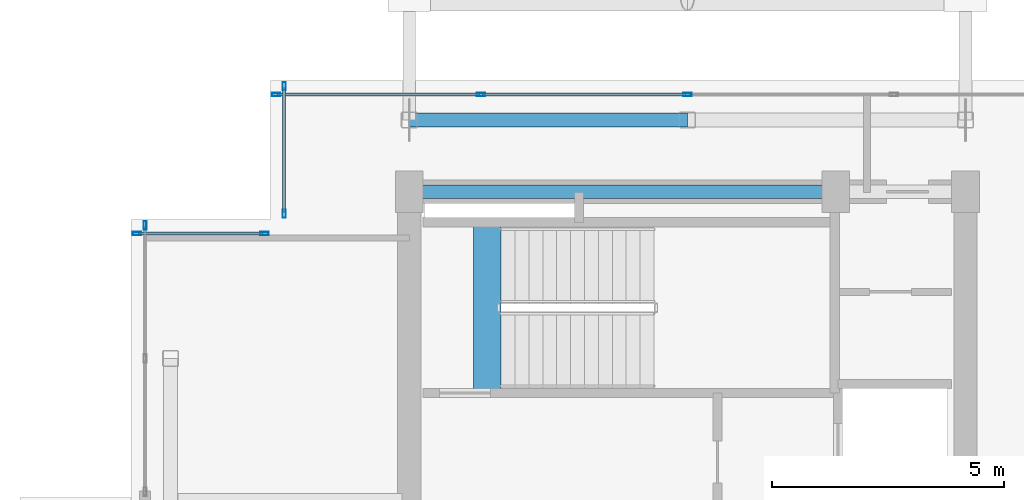
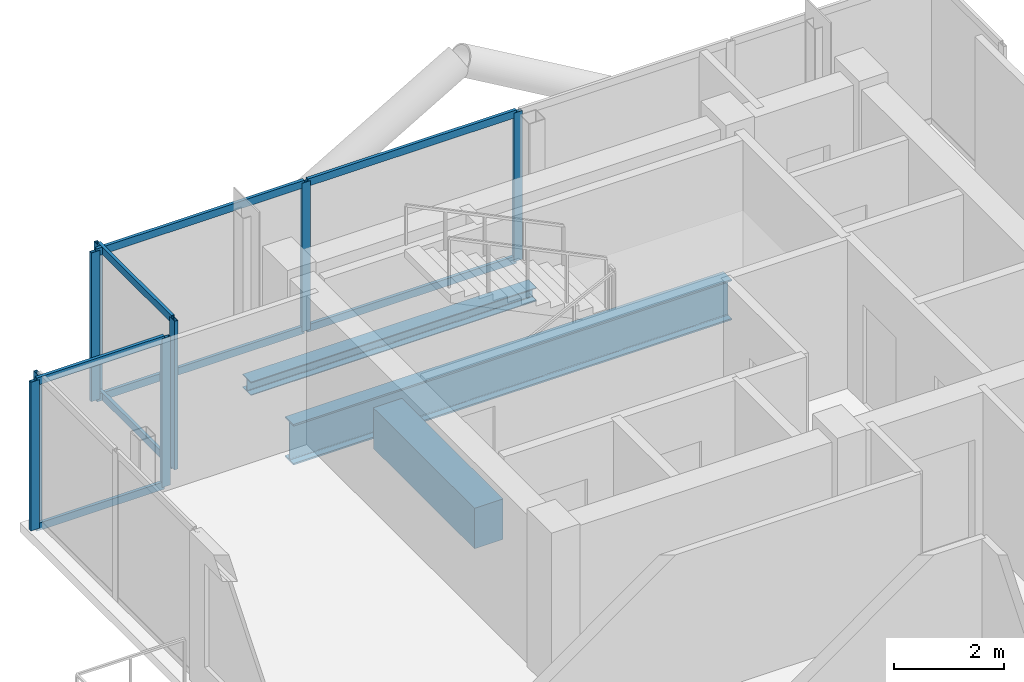
# One storey, part 8 of 18: 16 members, 3 beams, 4 elements without a shape of their own.
"""IFC4 building model written with IfcOpenShell, lengths in metres."""

from ifc_helpers import new_model, si_unit, direction, frame, origin, origin_2d, place, context, subcontext, project, spatial, rectangle, hollow_rectangle, i_section, extrude, material, layer, layer_set, material_profile, profile_set, type_object, element, aggregate, save


model = new_model("IFC4")

# Units and contexts
model_context = context("Model", 3, precision=1e-05, world=origin(), true_north=direction((0.0, 1.0)))
body_context = subcontext(model_context, "Body", "Model", "MODEL_VIEW")
ifc_project = project(units=[si_unit("LENGTHUNIT", "METRE"), si_unit("AREAUNIT", "SQUARE_METRE"), si_unit("VOLUMEUNIT", "CUBIC_METRE"), si_unit("PLANEANGLEUNIT", "RADIAN"), si_unit("MASSUNIT", "GRAM", prefix="KILO"), si_unit("THERMODYNAMICTEMPERATUREUNIT", "KELVIN"), si_unit("POWERUNIT", "WATT")], contexts=[model_context])

# Site, building, storey
site_placement = place(None, origin())
site = spatial("IfcSite", under=ifc_project, at=site_placement, CompositionType="ELEMENT")
building_placement = place(site_placement, origin())
building = spatial("IfcBuilding", under=site, at=building_placement, Name="Svarakhadi Broadcast Tower", CompositionType="ELEMENT")
storey_placement = place(building_placement, frame((0.0, 0.0, 264.199951171875)))
storey = spatial("IfcBuildingStorey", under=building, at=storey_placement, Name="L66", CompositionType="ELEMENT", Elevation=264.199951171875)

# Curtain wall, member
ifc_material_1 = material(Name="Anodised Bronze Aluminium AA 6063-T6", Category="aluminium")
ifc_layer = layer(ifc_material_1, 0.179931640625)
ifc_layer_set = layer_set([ifc_layer], Name="Anodised Bronze Aluminium AA 6063-T6")
curtain_wall_type = type_object("IfcCurtainWallType", Name="CW_Sys_05", PredefinedType="NOTDEFINED", material=ifc_layer_set)
curtain_wall_1_placement = place(storey_placement, origin())
curtain_wall_1 = element("IfcCurtainWall", 1, at=curtain_wall_1_placement, inside=storey, type_object=curtain_wall_type, Name="L66 West Curtain Wall 03", PredefinedType="NOTDEFINED")
ifc_material_profile_1 = material_profile(ifc_material_1, hollow_rectangle(XDim=0.070068359375, YDim=0.179931640625, WallThickness=0.005615234375, at=origin_2d()), Name="ALU MULLION 180x70x6")
ifc_profile_set_1 = profile_set([ifc_material_profile_1], Name="Anodised Bronze Aluminium AA 6063-T6")
member_type_1 = type_object("IfcMemberType", Name="CW_Sys_05_Mul", PredefinedType="MULLION", material=ifc_profile_set_1)
member_1_placement = place(storey_placement, frame((0.300048828125, 26.875, 0.0), z_axis=(0.0, 0.0, 1.0), x_axis=(-1.0, 0.0, 0.0)))
member_1 = element("IfcMember", 2, at=member_1_placement, type_object=member_type_1, Name="CW-05 mullion 3", PredefinedType="MULLION", context=body_context, shape_type="SweptSolid", body=[
    extrude(hollow_rectangle(XDim=0.070068359375, YDim=0.179931640625, WallThickness=0.005615234375, at=origin_2d()), origin(), (0.0, 0.0, 1.0), 3.300048828125),
])
aggregate(curtain_wall_1, [member_1])

# Curtain wall, members
curtain_wall_2_placement = place(storey_placement, origin())
curtain_wall_2 = element("IfcCurtainWall", 3, at=curtain_wall_2_placement, inside=storey, type_object=curtain_wall_type, Name="L66 Unitised Facade Curtain Wall 04", PredefinedType="NOTDEFINED")
member_2_placement = place(storey_placement, frame((0.125, 26.699951171875, 0.0), z_axis=(0.0, 0.0, 1.0), x_axis=(0.0, 1.0, 0.0)))
member_2 = element("IfcMember", 4, at=member_2_placement, type_object=member_type_1, Name="CW-05 mullion 1", PredefinedType="MULLION", context=body_context, shape_type="SweptSolid", body=[
    extrude(hollow_rectangle(XDim=0.070068359375, YDim=0.179931640625, WallThickness=0.005615234375, at=origin_2d()), origin(), (0.0, 0.0, 1.0), 3.300048828125),
])
member_3_placement = place(storey_placement, frame((2.875, 26.699951171875, 0.0), z_axis=(0.0, 0.0, 1.0), x_axis=(0.0, 1.0, 0.0)))
member_3 = element("IfcMember", 5, at=member_3_placement, type_object=member_type_1, Name="CW-05 mullion 2", PredefinedType="MULLION", context=body_context, shape_type="SweptSolid", body=[
    extrude(hollow_rectangle(XDim=0.070068359375, YDim=0.179931640625, WallThickness=0.005615234375, at=origin_2d()), origin(), (0.0, 0.0, 1.0), 3.300048828125),
])

curtain_wall_3_placement = place(storey_placement, origin())
curtain_wall_3 = element("IfcCurtainWall", 6, at=curtain_wall_3_placement, inside=storey, type_object=curtain_wall_type, Name="L66 Unitised Facade Curtain Wall 05", PredefinedType="NOTDEFINED")
member_4_placement = place(storey_placement, frame((3.300048828125, 27.125, 0.0), z_axis=(0.0, 0.0, 1.0), x_axis=(-1.0, 0.0, 0.0)))
member_4 = element("IfcMember", 7, at=member_4_placement, type_object=member_type_1, Name="CW-05 mullion 1", PredefinedType="MULLION", context=body_context, shape_type="SweptSolid", body=[
    extrude(hollow_rectangle(XDim=0.070068359375, YDim=0.179931640625, WallThickness=0.005615234375, at=origin_2d()), origin(), (0.0, 0.0, 1.0), 3.300048828125),
])
member_5_placement = place(storey_placement, frame((3.300048828125, 29.875, 0.0), z_axis=(0.0, 0.0, 1.0), x_axis=(-1.0, 0.0, 0.0)))
member_5 = element("IfcMember", 8, at=member_5_placement, type_object=member_type_1, Name="CW-05 mullion 2", PredefinedType="MULLION", context=body_context, shape_type="SweptSolid", body=[
    extrude(hollow_rectangle(XDim=0.070068359375, YDim=0.179931640625, WallThickness=0.005615234375, at=origin_2d()), origin(), (0.0, 0.0, 1.0), 3.300048828125),
])

curtain_wall_4_placement = place(storey_placement, origin())
curtain_wall_4 = element("IfcCurtainWall", 9, at=curtain_wall_4_placement, inside=storey, type_object=curtain_wall_type, Name="L66 Unitised Facade Curtain Wall 06", PredefinedType="NOTDEFINED")
member_6_placement = place(storey_placement, frame((3.125, 29.699951171875, 0.0), z_axis=(0.0, 0.0, 1.0), x_axis=(0.0, 1.0, 0.0)))
member_6 = element("IfcMember", 10, at=member_6_placement, type_object=member_type_1, Name="CW-05 mullion 1", PredefinedType="MULLION", context=body_context, shape_type="SweptSolid", body=[
    extrude(hollow_rectangle(XDim=0.070068359375, YDim=0.179931640625, WallThickness=0.005615234375, at=origin_2d()), origin(), (0.0, 0.0, 1.0), 3.300048828125),
])
member_7_placement = place(storey_placement, frame((7.544921875, 29.699951171875, 0.0), z_axis=(0.0, 0.0, 1.0), x_axis=(0.0, 1.0, 0.0)))
member_7 = element("IfcMember", 11, at=member_7_placement, type_object=member_type_1, Name="CW-05 mullion 2", PredefinedType="MULLION", context=body_context, shape_type="SweptSolid", body=[
    extrude(hollow_rectangle(XDim=0.070068359375, YDim=0.179931640625, WallThickness=0.005615234375, at=origin_2d()), origin(), (0.0, 0.0, 1.0), 3.300048828125),
])
member_8_placement = place(storey_placement, frame((12.0, 29.699951171875, 0.0), z_axis=(0.0, 0.0, 1.0), x_axis=(0.0, 1.0, 0.0)))
member_8 = element("IfcMember", 12, at=member_8_placement, type_object=member_type_1, Name="CW-05 mullion 3", PredefinedType="MULLION", context=body_context, shape_type="SweptSolid", body=[
    extrude(hollow_rectangle(XDim=0.070068359375, YDim=0.179931640625, WallThickness=0.005615234375, at=origin_2d()), origin(), (0.0, 0.0, 1.0), 3.300048828125),
])

# Member
ifc_material_profile_2 = material_profile(ifc_material_1, hollow_rectangle(XDim=0.06494140625, YDim=0.1650390625, WallThickness=0.0048828125, at=origin_2d()), Name="ALU TRANSOM 165x65x5")
ifc_profile_set_2 = profile_set([ifc_material_profile_2], Name="Anodised Bronze Aluminium AA 6063-T6")
member_type_2 = type_object("IfcMemberType", Name="CW_Sys_05_Trn", PredefinedType="USERDEFINED", material=ifc_profile_set_2)
member_9_placement = place(storey_placement, frame((0.159912109375, 26.699951171875, 0.032470703125), z_axis=(1.0, 0.0, 0.0), x_axis=(0.0, 1.0, 0.0)))
member_9 = element("IfcMember", 13, at=member_9_placement, type_object=member_type_2, Name="CW-05 transom 1.1", ObjectType="TRANSOM", PredefinedType="USERDEFINED", context=body_context, shape_type="SweptSolid", body=[
    extrude(hollow_rectangle(XDim=0.06494140625, YDim=0.1650390625, WallThickness=0.0048828125, at=origin_2d()), origin(), (0.0, 0.0, 1.0), 2.68017578125),
])

member_10_placement = place(storey_placement, frame((0.159912109375, 26.699951171875, 3.267578125), z_axis=(1.0, 0.0, 0.0), x_axis=(0.0, 1.0, 0.0)))
member_10 = element("IfcMember", 14, at=member_10_placement, type_object=member_type_2, Name="CW-05 transom 1.2", ObjectType="TRANSOM", PredefinedType="USERDEFINED", context=body_context, shape_type="SweptSolid", body=[
    extrude(hollow_rectangle(XDim=0.06494140625, YDim=0.1650390625, WallThickness=0.0048828125, at=origin_2d()), origin(), (0.0, 0.0, 1.0), 2.68017578125),
])

aggregate(curtain_wall_2, [member_2, member_3, member_9, member_10])

member_11_placement = place(storey_placement, frame((3.300048828125, 27.159912109375, 0.032470703125), z_axis=(0.0, 1.0, 0.0), x_axis=(-1.0, 0.0, 0.0)))
member_11 = element("IfcMember", 15, at=member_11_placement, type_object=member_type_2, Name="CW-05 transom 1.1", ObjectType="TRANSOM", PredefinedType="USERDEFINED", context=body_context, shape_type="SweptSolid", body=[
    extrude(hollow_rectangle(XDim=0.06494140625, YDim=0.1650390625, WallThickness=0.0048828125, at=origin_2d()), origin(), (0.0, 0.0, 1.0), 2.68017578125),
])

member_12_placement = place(storey_placement, frame((3.300048828125, 27.159912109375, 3.267578125), z_axis=(0.0, 1.0, 0.0), x_axis=(-1.0, 0.0, 0.0)))
member_12 = element("IfcMember", 16, at=member_12_placement, type_object=member_type_2, Name="CW-05 transom 1.2", ObjectType="TRANSOM", PredefinedType="USERDEFINED", context=body_context, shape_type="SweptSolid", body=[
    extrude(hollow_rectangle(XDim=0.06494140625, YDim=0.1650390625, WallThickness=0.0048828125, at=origin_2d()), origin(), (0.0, 0.0, 1.0), 2.68017578125),
])

aggregate(curtain_wall_3, [member_4, member_5, member_11, member_12])

member_13_placement = place(storey_placement, frame((3.159912109375, 29.699951171875, 0.032470703125), z_axis=(1.0, 0.0, 0.0), x_axis=(0.0, 1.0, 0.0)))
member_13 = element("IfcMember", 17, at=member_13_placement, type_object=member_type_2, Name="CW-05 transom 1.1", ObjectType="TRANSOM", PredefinedType="USERDEFINED", context=body_context, shape_type="SweptSolid", body=[
    extrude(hollow_rectangle(XDim=0.06494140625, YDim=0.1650390625, WallThickness=0.0048828125, at=origin_2d()), origin(), (0.0, 0.0, 1.0), 4.35009765625),
])

member_14_placement = place(storey_placement, frame((3.159912109375, 29.699951171875, 3.267578125), z_axis=(1.0, 0.0, 0.0), x_axis=(0.0, 1.0, 0.0)))
member_14 = element("IfcMember", 18, at=member_14_placement, type_object=member_type_2, Name="CW-05 transom 1.2", ObjectType="TRANSOM", PredefinedType="USERDEFINED", context=body_context, shape_type="SweptSolid", body=[
    extrude(hollow_rectangle(XDim=0.06494140625, YDim=0.1650390625, WallThickness=0.0048828125, at=origin_2d()), origin(), (0.0, 0.0, 1.0), 4.35009765625),
])

member_15_placement = place(storey_placement, frame((7.580078125, 29.699951171875, 0.032470703125), z_axis=(1.0, 0.0, 0.0), x_axis=(0.0, 1.0, 0.0)))
member_15 = element("IfcMember", 19, at=member_15_placement, type_object=member_type_2, Name="CW-05 transom 2.1", ObjectType="TRANSOM", PredefinedType="USERDEFINED", context=body_context, shape_type="SweptSolid", body=[
    extrude(hollow_rectangle(XDim=0.06494140625, YDim=0.1650390625, WallThickness=0.0048828125, at=origin_2d()), origin(), (0.0, 0.0, 1.0), 4.385009765625),
])

member_16_placement = place(storey_placement, frame((7.580078125, 29.699951171875, 3.267578125), z_axis=(1.0, 0.0, 0.0), x_axis=(0.0, 1.0, 0.0)))
member_16 = element("IfcMember", 20, at=member_16_placement, type_object=member_type_2, Name="CW-05 transom 2.2", ObjectType="TRANSOM", PredefinedType="USERDEFINED", context=body_context, shape_type="SweptSolid", body=[
    extrude(hollow_rectangle(XDim=0.06494140625, YDim=0.1650390625, WallThickness=0.0048828125, at=origin_2d()), origin(), (0.0, 0.0, 1.0), 4.385009765625),
])

aggregate(curtain_wall_4, [member_6, member_7, member_8, member_13, member_14, member_15, member_16])

# Beams
ifc_material_2 = material(Name="Concrete C50/60 (IS 456 M60)", Category="concrete")
ifc_material_profile_3 = material_profile(ifc_material_2, rectangle(XDim=0.60009765625, YDim=0.89990234375, at=origin_2d()), Name="RC 600x900")
ifc_profile_set_3 = profile_set([ifc_material_profile_3], Name="Concrete C50/60 (IS 456 M60)")
beam_type_1 = type_object("IfcBeamType", Name="Coupling_RC600", PredefinedType="USERDEFINED", material=ifc_profile_set_3)
beam_1_placement = place(storey_placement, frame((7.679931640625, 23.260009765625, -0.449951171875), z_axis=(0.0, 1.0, 0.0), x_axis=(-1.0, 0.0, 0.0)))
element("IfcBeam", 21, at=beam_1_placement, inside=storey, type_object=beam_type_1, Name="L66 Stair ST-01 Landing Throat Trimmer Beam CB-01", ObjectType="GIRDER", PredefinedType="USERDEFINED", context=body_context, shape_type="SweptSolid", body=[
    extrude(rectangle(XDim=0.60009765625, YDim=0.89990234375, at=origin_2d()), origin(), (0.0, 0.0, 1.0), 3.679931640625),
])
ifc_material_3 = material(Name="Steel S355J2 (IS 2062 E350C)", Category="steel")
ifc_material_profile_4 = material_profile(ifc_material_3, i_section(OverallWidth=0.300048828125, OverallDepth=0.300048828125, WebThickness=0.010986328125, FlangeThickness=0.01904296875, FilletRadius=0.027099609375, at=origin_2d()), Name="WPB 300x300x117")
ifc_profile_set_4 = profile_set([ifc_material_profile_4], Name="Steel S355J2 (IS 2062 E350C)")
beam_type_2 = type_object("IfcBeamType", Name="Girder_WPB300", PredefinedType="USERDEFINED", material=ifc_profile_set_4)
beam_2_placement = place(storey_placement, frame((6.0, 29.14990234375, -0.349853515625), z_axis=(1.0, 0.0, 0.0), x_axis=(0.0, 1.0, 0.0)))
element("IfcBeam", 22, at=beam_2_placement, inside=storey, type_object=beam_type_2, Name="L66 Primary E-W Girder G024", ObjectType="GIRDER", PredefinedType="USERDEFINED", context=body_context, shape_type="SweptSolid", body=[
    extrude(i_section(OverallWidth=0.300048828125, OverallDepth=0.300048828125, WebThickness=0.010986328125, FlangeThickness=0.01904296875, FilletRadius=0.027099609375, at=origin_2d()), origin(), (0.0, 0.0, 1.0), 6.0),
])
ifc_material_4 = material(Name="Steel S460ML (IS 2062 E450BR)", Category="steel")
ifc_material_profile_5 = material_profile(ifc_material_4, i_section(OverallWidth=0.300048828125, OverallDepth=0.89990234375, WebThickness=0.0185546875, FlangeThickness=0.034912109375, FilletRadius=0.030029296875, at=origin_2d()), Name="WPB 900x300x291")
ifc_profile_set_5 = profile_set([ifc_material_profile_5], Name="Steel S460ML (IS 2062 E450BR)")
beam_type_3 = type_object("IfcBeamType", Name="Girder_WPB900", PredefinedType="USERDEFINED", material=ifc_profile_set_5)
beam_3_placement = place(storey_placement, frame((6.0, 27.60009765625, -0.64990234375), z_axis=(1.0, 0.0, 0.0), x_axis=(0.0, 1.0, 0.0)))
element("IfcBeam", 23, at=beam_3_placement, inside=storey, type_object=beam_type_3, Name="L66 Primary E-W Girder G022", ObjectType="GIRDER", PredefinedType="USERDEFINED", context=body_context, shape_type="SweptSolid", body=[
    extrude(i_section(OverallWidth=0.300048828125, OverallDepth=0.89990234375, WebThickness=0.0185546875, FlangeThickness=0.034912109375, FilletRadius=0.030029296875, at=origin_2d()), origin(), (0.0, 0.0, 1.0), 9.199951171875),
])

save(model, "model.ifc")
